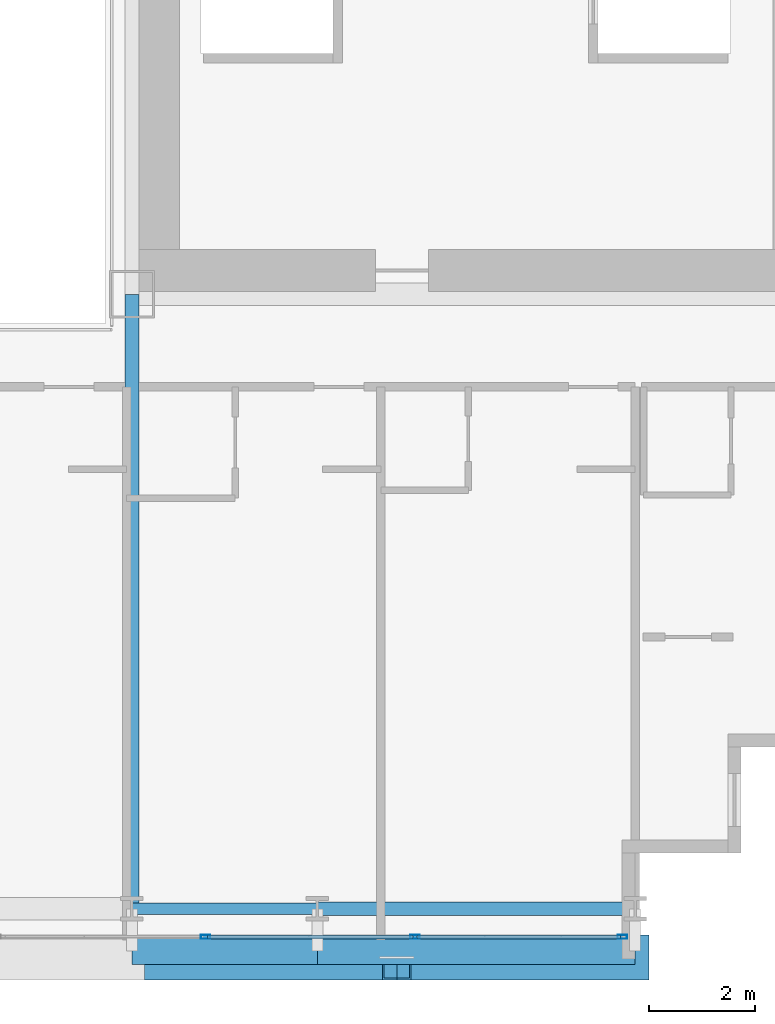
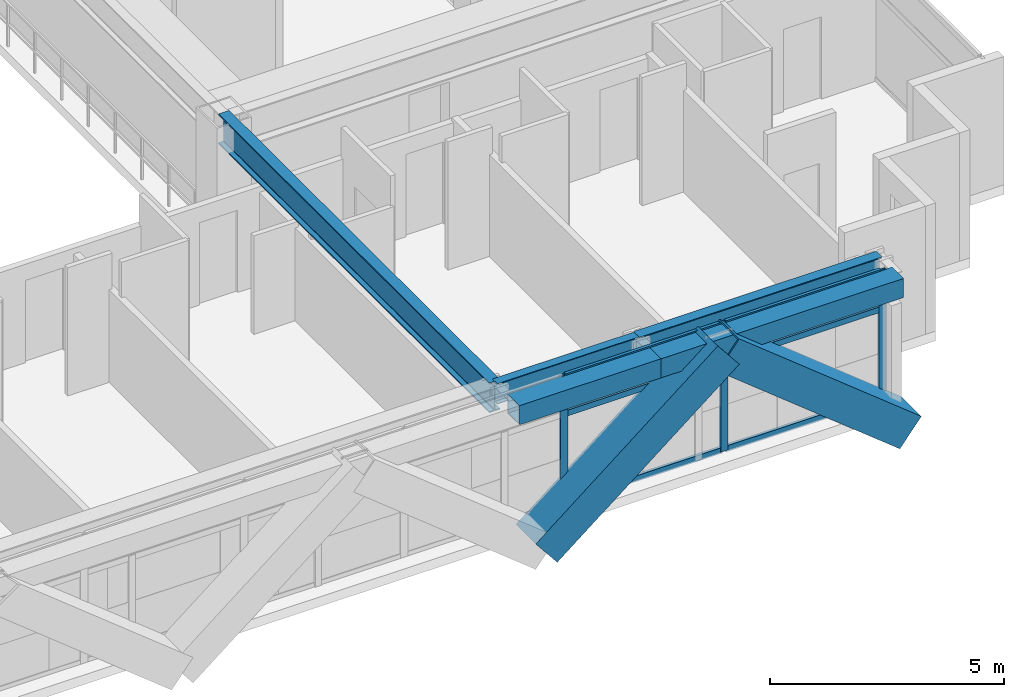
# One storey, part 10 of 36: 11 members, 5 beams, 1 element without a shape of its own.
"""IFC4 building model written with IfcOpenShell, lengths in metres."""

from ifc_helpers import new_model, si_unit, direction, frame, origin, origin_2d, place, context, subcontext, project, spatial, hollow_rectangle, i_section, extrude, source, transform, mapped, material, layer, layer_set, material_profile, profile_set, type_object, element, aggregate, save


model = new_model("IFC4")

# Units and contexts
model_context = context("Model", 3, precision=1e-05, world=origin(), true_north=direction((0.0, 1.0)))
body_context = subcontext(model_context, "Body", "Model", "MODEL_VIEW")
ifc_project = project(units=[si_unit("LENGTHUNIT", "METRE"), si_unit("AREAUNIT", "SQUARE_METRE"), si_unit("VOLUMEUNIT", "CUBIC_METRE"), si_unit("PLANEANGLEUNIT", "RADIAN"), si_unit("MASSUNIT", "GRAM", prefix="KILO")], contexts=[model_context])

# Site, building, storey
site_placement = place(None, origin())
site = spatial("IfcSite", under=ifc_project, at=site_placement, CompositionType="ELEMENT")
building_placement = place(site_placement, origin())
building = spatial("IfcBuilding", under=site, at=building_placement, Name="Ocotamira Hotel", CompositionType="ELEMENT")
storey_placement = place(building_placement, frame((0.0, 0.0, 42.0)))
storey = spatial("IfcBuildingStorey", under=building, at=storey_placement, Name="L09", CompositionType="ELEMENT", Elevation=42.0)

# Beams
ifc_material_1 = material(Name="Steel ASTM A992 Grade 50", Category="steel")
ifc_material_profile_1 = material_profile(ifc_material_1, i_section(OverallWidth=0.256103515625, OverallDepth=0.693115234375, WebThickness=0.014404296875, FlangeThickness=0.023681640625, FilletRadius=0.01611328125, at=origin_2d()), Name="W27X114")
ifc_profile_set_1 = profile_set([ifc_material_profile_1], Name="Steel ASTM A992 Grade 50")
beam_type_1 = type_object("IfcBeamType", Name="BM-PRIM-W27X114", PredefinedType="BEAM", material=ifc_profile_set_1)
shared_shape_1 = source(origin(), body_context, "Body", "SweptSolid", [
    extrude(i_section(OverallWidth=0.256103515625, OverallDepth=0.693115234375, WebThickness=0.014404296875, FlangeThickness=0.023681640625, FilletRadius=0.01611328125, at=origin_2d()), origin(), (0.0, 0.0, 1.0), 6.0),
])
beam_1_placement = place(storey_placement, frame((44.0, 2.949951171875, 3.00341796875), z_axis=(1.0, 0.0, 0.0), x_axis=(0.0, 1.0, 0.0)))
element("IfcBeam", 1, at=beam_1_placement, inside=storey, type_object=beam_type_1, Name="L09 Girder Y2.95 X44-50", PredefinedType="BEAM", context=body_context, shape_type="MappedRepresentation", body=[
    mapped(shared_shape_1, transform((0.0, 0.0, 0.0), scale=1.0)),
])
ifc_material_profile_2 = material_profile(ifc_material_1, i_section(OverallWidth=0.2099609375, OverallDepth=0.537109375, WebThickness=0.010986328125, FlangeThickness=0.017333984375, FilletRadius=0.012939453125, at=origin_2d()), Name="W21X68")
ifc_profile_set_2 = profile_set([ifc_material_profile_2], Name="Steel ASTM A992 Grade 50")
beam_type_2 = type_object("IfcBeamType", Name="BM-SEC-W21X68", PredefinedType="JOIST", material=ifc_profile_set_2)
shared_shape_2 = source(origin(), body_context, "Body", "SweptSolid", [
    extrude(i_section(OverallWidth=0.2099609375, OverallDepth=0.537109375, WebThickness=0.010986328125, FlangeThickness=0.017333984375, FilletRadius=0.012939453125, at=origin_2d()), origin(), (0.0, 0.0, 1.0), 3.5),
])
beam_2_placement = place(storey_placement, frame((40.5, 2.949951171875, 3.08154296875), z_axis=(1.0, 0.0, 0.0), x_axis=(0.0, 1.0, 0.0)))
element("IfcBeam", 2, at=beam_2_placement, inside=storey, type_object=beam_type_2, Name="L09 Girder Y2.95 X40.5-44", PredefinedType="JOIST", context=body_context, shape_type="MappedRepresentation", body=[
    mapped(shared_shape_2, transform((0.0, 0.0, 0.0), scale=1.0)),
])
ifc_material_profile_3 = material_profile(ifc_material_1, i_section(OverallWidth=0.26611328125, OverallDepth=0.779052734375, WebThickness=0.0166015625, FlangeThickness=0.030029296875, FilletRadius=0.01806640625, at=origin_2d()), Name="W30X148")
ifc_profile_set_3 = profile_set([ifc_material_profile_3], Name="Steel ASTM A992 Grade 50")
beam_type_3 = type_object("IfcBeamType", Name="BM-GIRD-W30X148", PredefinedType="BEAM", material=ifc_profile_set_3)
shared_shape_3 = source(origin(), body_context, "Body", "SweptSolid", [
    extrude(i_section(OverallWidth=0.26611328125, OverallDepth=0.779052734375, WebThickness=0.0166015625, FlangeThickness=0.030029296875, FilletRadius=0.01806640625, at=origin_2d()), origin(), (0.0, 0.0, 1.0), 11.60009765625),
])
beam_3_placement = place(storey_placement, frame((40.5, 2.949951171875, 2.96044921875), z_axis=(0.0, 1.0, 0.0), x_axis=(-1.0, 0.0, 0.0)))
element("IfcBeam", 3, at=beam_3_placement, inside=storey, type_object=beam_type_3, Name="L09 Beam X40.5 Y2.95-14.55", PredefinedType="BEAM", context=body_context, shape_type="MappedRepresentation", body=[
    mapped(shared_shape_3, transform((0.0, 0.0, 0.0), scale=1.0)),
])
ifc_material_2 = material(Name="Steel ASTM A500 Grade C", Category="steel")
ifc_material_profile_4 = material_profile(ifc_material_2, hollow_rectangle(XDim=0.5, YDim=0.5, WallThickness=0.02001953125, at=origin_2d()), Name="HSS500X500X20")
ifc_profile_set_4 = profile_set([ifc_material_profile_4], Name="Steel ASTM A500 Grade C")
beam_type_4 = type_object("IfcBeamType", Name="BM-SPAN-HSS500", PredefinedType="USERDEFINED", material=ifc_profile_set_4)
shared_shape_4 = source(origin(), body_context, "Body", "SweptSolid", [
    extrude(hollow_rectangle(XDim=0.5, YDim=0.5, WallThickness=0.02001953125, at=origin_2d()), origin(), (0.0, 0.0, 1.0), 6.0),
])
beam_4_placement = place(storey_placement, frame((44.0, 2.14990234375, 3.10009765625), z_axis=(1.0, 0.0, 0.0), x_axis=(0.0, 1.0, 0.0)))
element("IfcBeam", 4, at=beam_4_placement, inside=storey, type_object=beam_type_4, Name="L09 Edge Spandrel S X44-50", ObjectType="SPANDREL", PredefinedType="USERDEFINED", context=body_context, shape_type="MappedRepresentation", body=[
    mapped(shared_shape_4, transform((0.0, 0.0, 0.0), scale=1.0)),
])
shared_shape_5 = source(origin(), body_context, "Body", "SweptSolid", [
    extrude(hollow_rectangle(XDim=0.5, YDim=0.5, WallThickness=0.02001953125, at=origin_2d()), origin(), (0.0, 0.0, 1.0), 3.5),
])
beam_5_placement = place(storey_placement, frame((40.5, 2.14990234375, 3.10009765625), z_axis=(1.0, 0.0, 0.0), x_axis=(0.0, 1.0, 0.0)))
element("IfcBeam", 5, at=beam_5_placement, inside=storey, type_object=beam_type_4, Name="L09 Edge Spandrel S X40.5-44", ObjectType="SPANDREL", PredefinedType="USERDEFINED", context=body_context, shape_type="MappedRepresentation", body=[
    mapped(shared_shape_5, transform((0.0, 0.0, 0.0), scale=1.0)),
])

# Members
ifc_material_3 = material(Name="Pale-metal coated steel ASTM A913 Grade 65", Category="steel")
ifc_material_profile_5 = material_profile(ifc_material_3, hollow_rectangle(XDim=0.85009765625, YDim=0.85009765625, WallThickness=0.035888671875, at=origin_2d()), Name="BOX850X850X36")
ifc_profile_set_5 = profile_set([ifc_material_profile_5], Name="Pale-metal coated steel ASTM A913 Grade 65")
member_type_1 = type_object("IfcMemberType", Name="MEM-EXO-BOX850", PredefinedType="BRACE", material=ifc_profile_set_5)
shared_shape_6 = source(origin(), body_context, "Body", "SweptSolid", [
    extrude(hollow_rectangle(XDim=0.85009765625, YDim=0.85009765625, WallThickness=0.035888671875, at=origin_2d()), origin(), (0.0, 0.0, 1.0), 5.762939453125),
])
for number, where, z_axis, x_axis, name in (
    (6, (41.0, 2.030029296875, -0.5), (0.780860543151, 0.0, 0.624705380279), (0.0, 1.0, 0.0), "L09 Exoskeleton Diagrid S3.1"),
    (7, (50.0, 2.030029296875, -0.5), (-0.780860543151, 0.0, 0.624705380279), (0.0, -1.0, 0.0), "L09 Exoskeleton Diagrid S3.2"),
):
    element("IfcMember", number, at=place(storey_placement, frame(where, z_axis=z_axis, x_axis=x_axis)), inside=storey, type_object=member_type_1, Name=name, PredefinedType="BRACE", context=body_context, shape_type="MappedRepresentation", body=[
        mapped(shared_shape_6, transform((0.0, 0.0, 0.0), scale=1.0)),
    ])

# Curtain wall, members
ifc_material_4 = material(Name="Anodised pale-metal aluminium and solar glass", Category="aluminium")
ifc_layer = layer(ifc_material_4, 0.179931640625)
ifc_layer_set = layer_set([ifc_layer], Name="Anodised pale-metal aluminium and solar glass")
curtain_wall_type = type_object("IfcCurtainWallType", Name="CW-SYS2-Z1", PredefinedType="NOTDEFINED", material=ifc_layer_set)
curtain_wall_placement = place(storey_placement, origin())
curtain_wall = element("IfcCurtainWall", 8, at=curtain_wall_placement, inside=storey, type_object=curtain_wall_type, Name="L09 Curtain Wall CW-2 CW-L09-S1", PredefinedType="NOTDEFINED")
ifc_material_5 = material(Name="Anodised pale-metal aluminium 6063-T6", Category="aluminium")
ifc_material_profile_6 = material_profile(ifc_material_5, hollow_rectangle(XDim=0.074951171875, YDim=0.14990234375, WallThickness=0.006103515625, at=origin_2d()), Name="HSS150X75X6")
ifc_profile_set_6 = profile_set([ifc_material_profile_6], Name="Anodised pale-metal aluminium 6063-T6")
member_type_2 = type_object("IfcMemberType", Name="CWT-150X75", PredefinedType="USERDEFINED", material=ifc_profile_set_6)
shared_shape_7 = source(origin(), body_context, "Body", "SweptSolid", [
    extrude(hollow_rectangle(XDim=0.074951171875, YDim=0.14990234375, WallThickness=0.006103515625, at=origin_2d()), origin(), (0.0, 0.0, 1.0), 3.83544921875),
])
member_1_placement = place(storey_placement, frame((45.884521484375, 2.419921875, 0.03759765625), z_axis=(1.0, 0.0, 0.0), x_axis=(0.0, 1.0, 0.0)))
member_1 = element("IfcMember", 9, at=member_1_placement, type_object=member_type_2, Name="CW-2 transom 9.1", ObjectType="TRANSOM", PredefinedType="USERDEFINED", context=body_context, shape_type="MappedRepresentation", body=[
    mapped(shared_shape_7, transform((0.0, 0.0, 0.0), scale=1.0)),
])
member_2_placement = place(storey_placement, frame((45.884521484375, 2.419921875, 2.35009765625), z_axis=(1.0, 0.0, 0.0), x_axis=(0.0, 1.0, 0.0)))
member_2 = element("IfcMember", 10, at=member_2_placement, type_object=member_type_2, Name="CW-2 transom 9.2", ObjectType="TRANSOM", PredefinedType="USERDEFINED", context=body_context, shape_type="MappedRepresentation", body=[
    mapped(shared_shape_7, transform((0.0, 0.0, 0.0), scale=1.0)),
])
member_3_placement = place(storey_placement, frame((45.884521484375, 2.419921875, 3.3125), z_axis=(1.0, 0.0, 0.0), x_axis=(0.0, 1.0, 0.0)))
member_3 = element("IfcMember", 11, at=member_3_placement, type_object=member_type_2, Name="CW-2 transom 9.3", ObjectType="TRANSOM", PredefinedType="USERDEFINED", context=body_context, shape_type="MappedRepresentation", body=[
    mapped(shared_shape_7, transform((0.0, 0.0, 0.0), scale=1.0)),
])
shared_shape_8 = source(origin(), body_context, "Body", "SweptSolid", [
    extrude(hollow_rectangle(XDim=0.074951171875, YDim=0.14990234375, WallThickness=0.006103515625, at=origin_2d()), origin(), (0.0, 0.0, 1.0), 3.87548828125),
])
member_4_placement = place(storey_placement, frame((41.928955078125, 2.419921875, 0.03759765625), z_axis=(1.0, 0.0, 0.0), x_axis=(0.0, 1.0, 0.0)))
member_4 = element("IfcMember", 12, at=member_4_placement, type_object=member_type_2, Name="CW-2 transom 8.1", ObjectType="TRANSOM", PredefinedType="USERDEFINED", context=body_context, shape_type="MappedRepresentation", body=[
    mapped(shared_shape_8, transform((0.0, 0.0, 0.0), scale=1.0)),
])
member_5_placement = place(storey_placement, frame((41.928955078125, 2.419921875, 2.35009765625), z_axis=(1.0, 0.0, 0.0), x_axis=(0.0, 1.0, 0.0)))
member_5 = element("IfcMember", 13, at=member_5_placement, type_object=member_type_2, Name="CW-2 transom 8.2", ObjectType="TRANSOM", PredefinedType="USERDEFINED", context=body_context, shape_type="MappedRepresentation", body=[
    mapped(shared_shape_8, transform((0.0, 0.0, 0.0), scale=1.0)),
])
member_6_placement = place(storey_placement, frame((41.928955078125, 2.419921875, 3.3125), z_axis=(1.0, 0.0, 0.0), x_axis=(0.0, 1.0, 0.0)))
member_6 = element("IfcMember", 14, at=member_6_placement, type_object=member_type_2, Name="CW-2 transom 8.3", ObjectType="TRANSOM", PredefinedType="USERDEFINED", context=body_context, shape_type="MappedRepresentation", body=[
    mapped(shared_shape_8, transform((0.0, 0.0, 0.0), scale=1.0)),
])
ifc_material_profile_7 = material_profile(ifc_material_5, hollow_rectangle(XDim=0.080078125, YDim=0.179931640625, WallThickness=0.006103515625, at=origin_2d()), Name="HSS180X80X6")
ifc_profile_set_7 = profile_set([ifc_material_profile_7], Name="Anodised pale-metal aluminium 6063-T6")
member_type_3 = type_object("IfcMemberType", Name="CWM-180X75", PredefinedType="MULLION", material=ifc_profile_set_7)
shared_shape_9 = source(origin(), body_context, "Body", "SweptSolid", [
    extrude(hollow_rectangle(XDim=0.080078125, YDim=0.179931640625, WallThickness=0.006103515625, at=origin_2d()), origin(), (0.0, 0.0, 1.0), 3.35009765625),
])
member_7_placement = place(storey_placement, frame((41.888916015625, 2.419921875, 0.0), z_axis=(0.0, 0.0, 1.0), x_axis=(0.0, 1.0, 0.0)))
member_7 = element("IfcMember", 15, at=member_7_placement, type_object=member_type_3, Name="CW-2 mullion 8", PredefinedType="MULLION", context=body_context, shape_type="MappedRepresentation", body=[
    mapped(shared_shape_9, transform((0.0, 0.0, 0.0), scale=1.0)),
])
member_8_placement = place(storey_placement, frame((45.844482421875, 2.419921875, 0.0), z_axis=(0.0, 0.0, 1.0), x_axis=(0.0, 1.0, 0.0)))
member_8 = element("IfcMember", 16, at=member_8_placement, type_object=member_type_3, Name="CW-2 mullion 9", PredefinedType="MULLION", context=body_context, shape_type="MappedRepresentation", body=[
    mapped(shared_shape_9, transform((0.0, 0.0, 0.0), scale=1.0)),
])
member_9_placement = place(storey_placement, frame((49.760009765625, 2.419921875, 0.0), z_axis=(0.0, 0.0, 1.0), x_axis=(0.0, 1.0, 0.0)))
member_9 = element("IfcMember", 17, at=member_9_placement, type_object=member_type_3, Name="CW-2 mullion 10", PredefinedType="MULLION", context=body_context, shape_type="MappedRepresentation", body=[
    mapped(shared_shape_9, transform((0.0, 0.0, 0.0), scale=1.0)),
])
aggregate(curtain_wall, [member_7, member_8, member_9, member_4, member_5, member_6, member_1, member_2, member_3])

save(model, "model.ifc")
